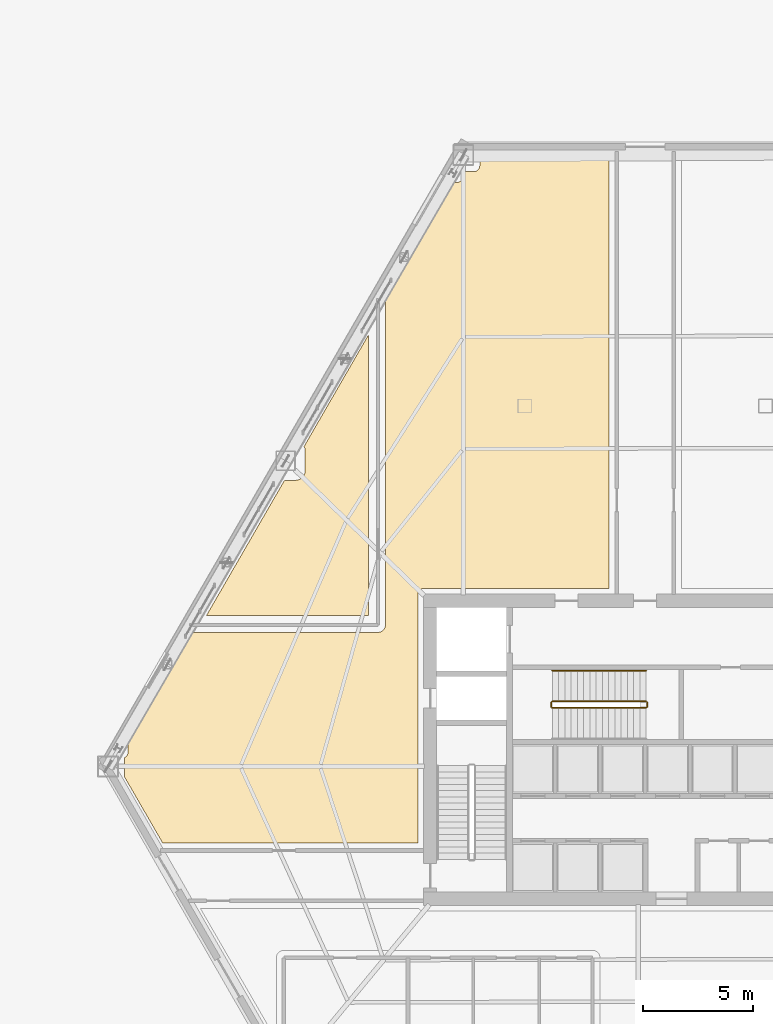
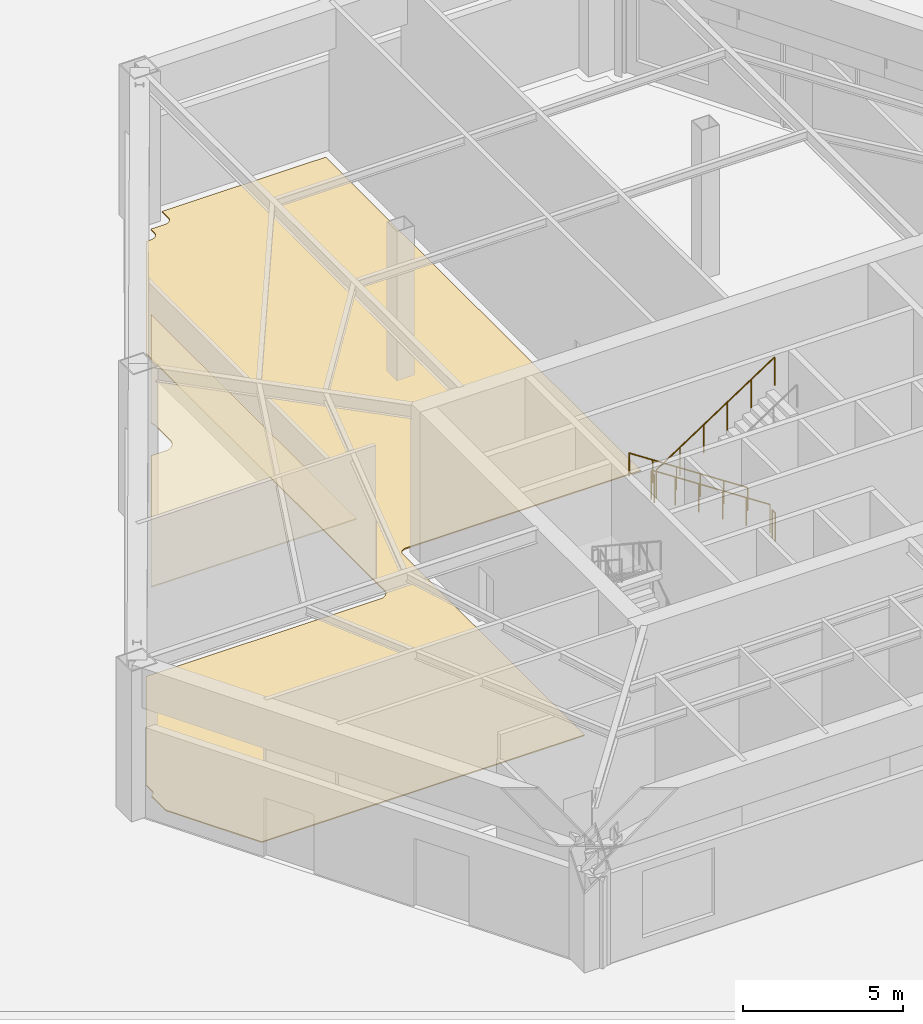
# One storey, part 18 of 20: 5 railings, 2 coverings.
"""IFC4 building model written with IfcOpenShell, lengths in metres."""

from ifc_helpers import new_model, si_unit, direction, frame, origin, origin_2d, place, context, subcontext, project, spatial, polyline, circle, outline, extrude, material, layer, layer_set, type_object, element, save


model = new_model("IFC4")

# Units and contexts
model_context = context("Model", 3, precision=1e-05, world=origin(), true_north=direction((0.0, 1.0)))
body_context = subcontext(model_context, "Body", "Model", "MODEL_VIEW")
ifc_project = project(units=[si_unit("LENGTHUNIT", "METRE"), si_unit("AREAUNIT", "SQUARE_METRE"), si_unit("VOLUMEUNIT", "CUBIC_METRE"), si_unit("PLANEANGLEUNIT", "RADIAN"), si_unit("MASSUNIT", "GRAM", prefix="KILO")], contexts=[model_context])

# Site, building, storey
site_placement = place(None, origin())
site = spatial("IfcSite", under=ifc_project, at=site_placement, CompositionType="ELEMENT")
building_placement = place(site_placement, origin())
building = spatial("IfcBuilding", under=site, at=building_placement, Name="Kavelnor Concourse Tower", CompositionType="ELEMENT")
storey_placement = place(building_placement, origin())
storey = spatial("IfcBuildingStorey", under=building, at=storey_placement, Name="L00", CompositionType="ELEMENT", Elevation=0.0)

# Coverings
ifc_material_1 = material(Name="Mineral fibre acoustic ceiling tile")
ifc_layer_1 = layer(ifc_material_1, 0.0400390625, Name="Mineral fibre acoustic ceiling tile")
ifc_layer_set_1 = layer_set([ifc_layer_1], Name="Mineral fibre acoustic ceiling tile")
covering_type_1 = type_object("IfcCoveringType", Name="COV-CEILING-ACOUSTIC", PredefinedType="CEILING", material=ifc_layer_set_1)
covering_1_placement = place(storey_placement, frame((0.0, 0.0, 2.75)))
element("IfcCovering", 1, at=covering_1_placement, inside=storey, type_object=covering_type_1, Name="L00 Suspended Acoustic Ceiling", PredefinedType="CEILING", context=body_context, shape_type="SweptSolid", body=[
    extrude(outline(polyline([(21.536376953125, 28.404052734375), (22.037109375, 28.404052734375), (22.0458984375, 28.404296875), (22.04931640625, 28.404296875), (22.057861328125, 28.404541015625), (22.059814453125, 28.40478515625), (22.076904296875, 28.406005859375), (22.083740234375, 28.406494140625), (22.100830078125, 28.40869140625), (22.102783203125, 28.408935546875), (22.11962890625, 28.412109375), (22.12646484375, 28.413330078125), (22.143310546875, 28.4169921875), (22.14501953125, 28.41748046875), (22.16162109375, 28.422119140625), (22.168212890625, 28.424072265625), (22.1845703125, 28.429443359375), (22.186279296875, 28.43017578125), (22.202392578125, 28.436279296875), (22.208740234375, 28.43896484375), (22.224365234375, 28.44580078125), (22.226318359375, 28.44677734375), (22.241455078125, 28.45458984375), (22.24755859375, 28.457763671875), (22.2626953125, 28.46630859375), (22.26416015625, 28.46728515625), (22.27880859375, 28.476318359375), (22.284423828125, 28.480224609375), (22.298583984375, 28.489990234375), (22.300048828125, 28.4912109375), (22.313720703125, 28.501953125), (22.31884765625, 28.506103515625), (22.331787109375, 28.517333984375), (22.33349609375, 28.518798828125), (22.345703125, 28.530517578125), (22.3505859375, 28.535400390625), (22.362548828125, 28.5478515625), (22.364013671875, 28.54931640625), (22.375, 28.5625), (22.37939453125, 28.567626953125), (22.389892578125, 28.581298828125), (22.39111328125, 28.582763671875), (22.401123046875, 28.5966796875), (22.40478515625, 28.6025390625), (22.4140625, 28.6171875), (22.4150390625, 28.61865234375), (22.423583984375, 28.6337890625), (22.4267578125, 28.639892578125), (22.4345703125, 28.655029296875), (22.435302734375, 28.656982421875), (22.4423828125, 28.672607421875), (22.44482421875, 28.678955078125), (22.451171875, 28.695068359375), (22.451904296875, 28.69677734375), (22.457275390625, 28.713134765625), (22.459228515625, 28.7197265625), (22.4638671875, 28.736083984375), (22.464111328125, 28.738037109375), (22.468017578125, 28.7548828125), (22.46923828125, 28.76171875), (22.472412109375, 28.778564453125), (22.47265625, 28.780517578125), (22.474609375, 28.797607421875), (22.475341796875, 28.804443359375), (22.4765625, 28.821533203125), (22.476806640625, 28.823486328125), (22.47705078125, 28.83203125), (22.47705078125, 28.83544921875), (22.477294921875, 28.843994140625), (22.477294921875, 29.744140625), (22.47705078125, 29.752685546875), (22.47705078125, 29.756103515625), (22.476806640625, 29.7646484375), (22.4765625, 29.7666015625), (22.475341796875, 29.78369140625), (22.474609375, 29.79052734375), (22.47265625, 29.8076171875), (22.472412109375, 29.8095703125), (22.46923828125, 29.82666015625), (22.468017578125, 29.833251953125), (22.464111328125, 29.85009765625), (22.4638671875, 29.85205078125), (22.459228515625, 29.868408203125), (22.457275390625, 29.875), (22.451904296875, 29.891357421875), (22.451171875, 29.893310546875), (22.44482421875, 29.9091796875), (22.4423828125, 29.91552734375), (22.435302734375, 29.931396484375), (22.4345703125, 29.93310546875), (22.42724609375, 29.947509765625), (25.3798828125, 35.0615234375), (25.3798828125, 22.219970703125), (17.9658203125, 22.219970703125), (21.536376953125, 28.404052734375)])), origin(), (0.0, 0.0, 1.0), 0.0400390625),
])
ifc_material_2 = material(Name="Honed bluestone and raised access floor finish", Category="masonry")
ifc_layer_2 = layer(ifc_material_2, 0.0400390625, Name="Honed bluestone and raised access floor finish")
ifc_layer_set_2 = layer_set([ifc_layer_2], Name="Honed bluestone and raised access floor finish")
covering_type_2 = type_object("IfcCoveringType", Name="COV-FLOOR-STONE", PredefinedType="FLOORING", material=ifc_layer_set_2)
covering_2_placement = place(storey_placement, frame((0.0, 0.0, 0.001953125)))
element("IfcCovering", 2, at=covering_2_placement, inside=storey, type_object=covering_type_2, Name="L00 Honed Bluestone Floor Finish", PredefinedType="FLOORING", context=body_context, shape_type="SweptSolid", body=[
    extrude(outline(polyline([(14.23486328125, 15.74658203125), (14.23583984375, 15.747314453125), (14.237548828125, 15.748046875), (14.246337890625, 15.75244140625), (14.251708984375, 15.755126953125), (14.260009765625, 15.760009765625), (14.26171875, 15.760986328125), (14.27001953125, 15.766357421875), (14.27490234375, 15.76953125), (14.282958984375, 15.775146484375), (14.28466796875, 15.7763671875), (14.292236328125, 15.782470703125), (14.296875, 15.7861328125), (14.30419921875, 15.79248046875), (14.3056640625, 15.7939453125), (14.31298828125, 15.80078125), (14.31689453125, 15.8046875), (14.32373046875, 15.81201171875), (14.3251953125, 15.8134765625), (14.33154296875, 15.82080078125), (14.335205078125, 15.825439453125), (14.34130859375, 15.8330078125), (14.342529296875, 15.834716796875), (14.34814453125, 15.8427734375), (14.351318359375, 15.84765625), (14.356689453125, 15.85595703125), (14.357666015625, 15.857666015625), (14.362548828125, 15.8662109375), (14.365234375, 15.871337890625), (14.36962890625, 15.880126953125), (14.37060546875, 15.8818359375), (14.37451171875, 15.890869140625), (14.376708984375, 15.896240234375), (14.38037109375, 15.905517578125), (14.380859375, 15.9072265625), (14.384033203125, 15.91650390625), (14.3857421875, 15.92236328125), (14.38818359375, 15.931640625), (14.388916015625, 15.93359375), (14.39111328125, 15.943115234375), (14.39208984375, 15.948974609375), (14.393798828125, 15.95849609375), (14.39404296875, 15.960693359375), (14.395263671875, 15.97021484375), (14.39599609375, 15.976318359375), (14.396484375, 15.986083984375), (14.396728515625, 15.98779296875), (14.39697265625, 15.992919921875), (14.39697265625, 15.995849609375), (14.39697265625, 16.000732421875), (14.39697265625, 16.32080078125), (14.39697265625, 16.32568359375), (14.39697265625, 16.32861328125), (14.396728515625, 16.33349609375), (14.396484375, 16.33544921875), (14.39599609375, 16.34521484375), (14.395263671875, 16.35107421875), (14.395263671875, 16.351806640625), (17.34228515625, 21.4599609375), (25.800048828125, 21.4599609375), (25.804931640625, 21.460205078125), (25.807861328125, 21.460205078125), (25.812744140625, 21.460205078125), (25.820556640625, 21.460693359375), (25.830322265625, 21.46142578125), (25.836181640625, 21.4619140625), (25.845947265625, 21.463134765625), (25.853759765625, 21.46435546875), (25.86328125, 21.466064453125), (25.869140625, 21.46728515625), (25.87890625, 21.46923828125), (25.886474609375, 21.47119140625), (25.89599609375, 21.473876953125), (25.901611328125, 21.4755859375), (25.910888671875, 21.478515625), (25.918212890625, 21.481201171875), (25.927490234375, 21.48486328125), (25.932861328125, 21.487060546875), (25.94189453125, 21.4912109375), (25.948974609375, 21.494384765625), (25.95751953125, 21.498779296875), (25.962890625, 21.501708984375), (25.971435546875, 21.50634765625), (25.97802734375, 21.510498046875), (25.986328125, 21.515625), (25.9912109375, 21.51904296875), (25.999267578125, 21.524658203125), (26.005615234375, 21.529296875), (26.013427734375, 21.535400390625), (26.017822265625, 21.5390625), (26.025390625, 21.54541015625), (26.03125, 21.55078125), (26.038330078125, 21.5576171875), (26.04248046875, 21.561767578125), (26.04931640625, 21.56884765625), (26.054443359375, 21.57470703125), (26.060791015625, 21.58203125), (26.064697265625, 21.586669921875), (26.07080078125, 21.594482421875), (26.075439453125, 21.6005859375), (26.0810546875, 21.608642578125), (26.084228515625, 21.613525390625), (26.089599609375, 21.621826171875), (26.093505859375, 21.628662109375), (26.098388671875, 21.63720703125), (26.101318359375, 21.642333984375), (26.105712890625, 21.651123046875), (26.10888671875, 21.658203125), (26.11279296875, 21.667236328125), (26.115234375, 21.672607421875), (26.11865234375, 21.681884765625), (26.121337890625, 21.689208984375), (26.12451171875, 21.698486328125), (26.126220703125, 21.7041015625), (26.12890625, 21.713623046875), (26.130615234375, 21.72119140625), (26.1328125, 21.730712890625), (26.134033203125, 21.736572265625), (26.135498046875, 21.74609375), (26.13671875, 21.75390625), (26.137939453125, 21.763916015625), (26.138671875, 21.76953125), (26.139404296875, 21.779296875), (26.1396484375, 21.787109375), (26.139892578125, 21.7919921875), (26.139892578125, 21.795166015625), (26.139892578125, 21.800048828125), (26.139892578125, 36.62890625), (26.139892578125, 36.6337890625), (26.139892578125, 36.63671875), (26.1396484375, 36.6416015625), (26.139404296875, 36.6494140625), (26.138671875, 36.658935546875), (26.13818359375, 36.664794921875), (26.136962890625, 36.67431640625), (26.1357421875, 36.68212890625), (26.134765625, 36.688232421875), (29.194091796875, 41.987548828125), (29.37744140625, 41.987548828125), (29.38232421875, 41.987548828125), (29.38525390625, 41.987548828125), (29.39013671875, 41.98779296875), (29.39208984375, 41.98779296875), (29.40185546875, 41.988525390625), (29.40771484375, 41.9892578125), (29.41748046875, 41.990478515625), (29.41943359375, 41.99072265625), (29.42919921875, 41.992431640625), (29.434814453125, 41.993408203125), (29.444580078125, 41.99560546875), (29.4462890625, 41.99609375), (29.455810546875, 41.998779296875), (29.46142578125, 42.00048828125), (29.470703125, 42.003662109375), (29.47265625, 42.004150390625), (29.481689453125, 42.0078125), (29.4873046875, 42.010009765625), (29.49609375, 42.013916015625), (29.498046875, 42.014892578125), (29.5068359375, 42.019287109375), (29.511962890625, 42.02197265625), (29.5205078125, 42.02685546875), (29.522216796875, 42.02783203125), (29.530517578125, 42.033203125), (29.535400390625, 42.036376953125), (29.54345703125, 42.0419921875), (29.544921875, 42.043212890625), (29.552734375, 42.04931640625), (29.557373046875, 42.052978515625), (29.564697265625, 42.059326171875), (29.566162109375, 42.060791015625), (29.5732421875, 42.0673828125), (29.577392578125, 42.071533203125), (29.584228515625, 42.078857421875), (29.58544921875, 42.080078125), (29.591796875, 42.087646484375), (29.595703125, 42.09228515625), (29.601806640625, 42.099853515625), (29.602783203125, 42.1015625), (29.6083984375, 42.109619140625), (29.61181640625, 42.114501953125), (29.616943359375, 42.122802734375), (29.617919921875, 42.12451171875), (29.622802734375, 42.1328125), (29.625732421875, 42.13818359375), (29.630126953125, 42.14697265625), (29.630859375, 42.148681640625), (29.635009765625, 42.15771484375), (29.63720703125, 42.1630859375), (29.640625, 42.17236328125), (29.641357421875, 42.174072265625), (29.644287109375, 42.183349609375), (29.64599609375, 42.189208984375), (29.648681640625, 42.198486328125), (29.649169921875, 42.200439453125), (29.6513671875, 42.2099609375), (29.652587890625, 42.2158203125), (29.654296875, 42.225341796875), (29.654541015625, 42.227294921875), (29.65576171875, 42.237060546875), (29.65625, 42.242919921875), (29.656982421875, 42.252685546875), (29.656982421875, 42.254638671875), (29.6572265625, 42.259521484375), (29.6572265625, 42.2626953125), (29.657470703125, 42.267578125), (29.657470703125, 42.493896484375), (30.169677734375, 42.493896484375), (30.174560546875, 42.493896484375), (30.177490234375, 42.493896484375), (30.182373046875, 42.494140625), (30.184326171875, 42.494384765625), (30.194091796875, 42.4951171875), (30.199951171875, 42.49560546875), (30.209716796875, 42.496826171875), (30.211669921875, 42.4970703125), (30.22119140625, 42.498779296875), (30.22705078125, 42.5), (30.23681640625, 42.502197265625), (30.238525390625, 42.502685546875), (30.248046875, 42.505126953125), (30.253662109375, 42.5068359375), (30.262939453125, 42.510009765625), (30.264892578125, 42.510498046875), (30.27392578125, 42.51416015625), (30.279296875, 42.516357421875), (30.288330078125, 42.5205078125), (30.290283203125, 42.521240234375), (30.299072265625, 42.525634765625), (30.30419921875, 42.5283203125), (30.312744140625, 42.533203125), (30.314453125, 42.5341796875), (30.32275390625, 42.53955078125), (30.32763671875, 42.542724609375), (30.335693359375, 42.54833984375), (30.337158203125, 42.549560546875), (30.344970703125, 42.5556640625), (30.349609375, 42.559326171875), (30.35693359375, 42.56591796875), (30.3583984375, 42.567138671875), (30.365478515625, 42.573974609375), (30.36962890625, 42.577880859375), (30.37646484375, 42.585205078125), (30.377685546875, 42.586669921875), (30.384033203125, 42.593994140625), (30.387939453125, 42.5986328125), (30.393798828125, 42.606201171875), (30.39501953125, 42.60791015625), (30.400634765625, 42.615966796875), (30.404052734375, 42.620849609375), (30.4091796875, 42.629150390625), (30.41015625, 42.630859375), (30.4150390625, 42.639404296875), (30.41796875, 42.64453125), (30.42236328125, 42.6533203125), (30.423095703125, 42.655029296875), (30.427001953125, 42.6640625), (30.42919921875, 42.66943359375), (30.432861328125, 42.6787109375), (30.43359375, 42.680419921875), (30.4365234375, 42.689697265625), (30.438232421875, 42.695556640625), (30.44091796875, 42.704833984375), (30.44140625, 42.706787109375), (30.443603515625, 42.71630859375), (30.444580078125, 42.72216796875), (30.4462890625, 42.731689453125), (30.44677734375, 42.73388671875), (30.447998046875, 42.743408203125), (30.448486328125, 42.74951171875), (30.44921875, 42.75927734375), (30.44921875, 42.760986328125), (30.449462890625, 42.76611328125), (30.449462890625, 42.76904296875), (30.44970703125, 42.77392578125), (30.44970703125, 43.155517578125), (36.35009765625, 43.155517578125), (36.35009765625, 23.4599609375), (27.8798828125, 23.4599609375), (27.8701171875, 23.459716796875), (27.8642578125, 23.45947265625), (27.8447265625, 23.45751953125), (27.8388671875, 23.456787109375), (27.819580078125, 23.452880859375), (27.81396484375, 23.451416015625), (27.795166015625, 23.44580078125), (27.789794921875, 23.443603515625), (27.771484375, 23.436279296875), (27.76611328125, 23.43359375), (27.748779296875, 23.424560546875), (27.743896484375, 23.42138671875), (27.7275390625, 23.410400390625), (27.722900390625, 23.406982421875), (27.70751953125, 23.39453125), (27.703369140625, 23.390625), (27.689453125, 23.376708984375), (27.685302734375, 23.372314453125), (27.673095703125, 23.357177734375), (27.66943359375, 23.3525390625), (27.65869140625, 23.336181640625), (27.655517578125, 23.3310546875), (27.646240234375, 23.313720703125), (27.643798828125, 23.30859375), (27.63623046875, 23.290283203125), (27.63427734375, 23.284912109375), (27.628662109375, 23.26611328125), (27.627197265625, 23.26025390625), (27.623291015625, 23.2412109375), (27.62255859375, 23.235107421875), (27.62060546875, 23.2158203125), (27.6201171875, 23.209716796875), (27.6201171875, 23.199951171875), (27.6201171875, 11.85009765625), (15.9677734375, 11.85009765625), (14.234619140625, 14.85205078125), (14.234619140625, 14.8564453125), (14.234619140625, 14.859375), (14.23486328125, 14.8642578125), (14.23486328125, 15.74658203125)])), origin(), (0.0, 0.0, 1.0), 0.0400390625),
])

# Railings
ifc_material_3 = material(Name="Steel Grade 350", Category="steel")
railing_type_1 = type_object("IfcRailingType", Name="RLG-GUARD-1100", PredefinedType="GUARDRAIL", material=ifc_material_3)
railing_1_placement = place(storey_placement, frame((38.0400390625, 18.31005859375, 0.1875)))
element("IfcRailing", 3, at=railing_1_placement, inside=storey, type_object=railing_type_1, Name="L00 ST3 stair guard 1", PredefinedType="GUARDRAIL", context=body_context, shape_type="SweptSolid", body=[
    extrude(circle(Radius=0.02392578125, at=origin_2d()), frame((0.0, 0.0, 1.076171875), z_axis=(-0.835425729185, 0.0, 0.549603357901), x_axis=(0.0, -1.0, 0.0)), (0.0, 0.0, 1.0), 5.117431640625),
    extrude(circle(Radius=0.02099609375, at=origin_2d()), origin(), (0.0, 0.0, 1.0), 1.052001953125),
    extrude(circle(Radius=0.02099609375, at=origin_2d()), frame((-0.85498046875, 0.0, 0.5625)), (0.0, 0.0, 1.0), 1.052001953125),
    extrude(circle(Radius=0.02099609375, at=origin_2d()), frame((-1.7099609375, 0.0, 1.125)), (0.0, 0.0, 1.0), 1.052001953125),
    extrude(circle(Radius=0.02099609375, at=origin_2d()), frame((-2.565185546875, 0.0, 1.6875)), (0.0, 0.0, 1.0), 1.052001953125),
    extrude(circle(Radius=0.02099609375, at=origin_2d()), frame((-3.420166015625, 0.0, 2.25)), (0.0, 0.0, 1.0), 1.052001953125),
    extrude(circle(Radius=0.02099609375, at=origin_2d()), frame((-4.275146484375, 0.0, 2.8125)), (0.0, 0.0, 1.0), 1.052001953125),
])
railing_2_placement = place(storey_placement, frame((33.715087890625, 18.260009765625, 3.0)))
element("IfcRailing", 4, at=railing_2_placement, inside=storey, type_object=railing_type_1, Name="L00 ST3 stair guard 2", PredefinedType="GUARDRAIL", context=body_context, shape_type="SweptSolid", body=[
    extrude(circle(Radius=0.02392578125, at=origin_2d()), frame((0.0, 0.0, 1.076171875), z_axis=(0.0, -1.0, 0.0), x_axis=(1.0, 0.0, 0.0)), (0.0, 0.0, 1.0), 0.199951171875),
    extrude(circle(Radius=0.02099609375, at=origin_2d()), origin(), (0.0, 0.0, 1.0), 1.052001953125),
    extrude(circle(Radius=0.02099609375, at=origin_2d()), frame((0.0, -0.199951171875, 0.0)), (0.0, 0.0, 1.0), 1.052001953125),
])
railing_3_placement = place(storey_placement, frame((33.764892578125, 18.010009765625, 3.1875)))
element("IfcRailing", 5, at=railing_3_placement, inside=storey, type_object=railing_type_1, Name="L00 ST3 stair guard 3", PredefinedType="GUARDRAIL", context=body_context, shape_type="SweptSolid", body=[
    extrude(circle(Radius=0.02392578125, at=origin_2d()), frame((0.0, 0.0, 1.076171875), z_axis=(0.835425729185, 0.0, 0.549603357901), x_axis=(0.0, 1.0, 0.0)), (0.0, 0.0, 1.0), 5.117431640625),
    extrude(circle(Radius=0.02099609375, at=origin_2d()), origin(), (0.0, 0.0, 1.0), 1.052001953125),
    extrude(circle(Radius=0.02099609375, at=origin_2d()), frame((0.85498046875, 0.0, 0.5625)), (0.0, 0.0, 1.0), 1.052001953125),
    extrude(circle(Radius=0.02099609375, at=origin_2d()), frame((1.7099609375, 0.0, 1.125)), (0.0, 0.0, 1.0), 1.052001953125),
    extrude(circle(Radius=0.02099609375, at=origin_2d()), frame((2.565185546875, 0.0, 1.6875)), (0.0, 0.0, 1.0), 1.052001953125),
    extrude(circle(Radius=0.02099609375, at=origin_2d()), frame((3.420166015625, 0.0, 2.25)), (0.0, 0.0, 1.0), 1.052001953125),
    extrude(circle(Radius=0.02099609375, at=origin_2d()), frame((4.275146484375, 0.0, 2.8125)), (0.0, 0.0, 1.0), 1.052001953125),
])
railing_4_placement = place(storey_placement, frame((38.090087890625, 18.260009765625, 0.0)))
element("IfcRailing", 6, at=railing_4_placement, inside=storey, type_object=railing_type_1, Name="L00 ST3 stair guard 4", PredefinedType="GUARDRAIL", context=body_context, shape_type="SweptSolid", body=[
    extrude(circle(Radius=0.02392578125, at=origin_2d()), frame((0.0, 0.0, 1.076171875), z_axis=(0.0, -1.0, 0.0), x_axis=(1.0, 0.0, 0.0)), (0.0, 0.0, 1.0), 0.199951171875),
    extrude(circle(Radius=0.02099609375, at=origin_2d()), origin(), (0.0, 0.0, 1.0), 1.052001953125),
    extrude(circle(Radius=0.02099609375, at=origin_2d()), frame((0.0, -0.199951171875, 0.0)), (0.0, 0.0, 1.0), 1.052001953125),
])
railing_type_2 = type_object("IfcRailingType", Name="RLG-HANDRAIL-900", PredefinedType="HANDRAIL", material=ifc_material_3)
railing_5_placement = place(storey_placement, frame((38.0400390625, 19.7099609375, 0.1875)))
element("IfcRailing", 7, at=railing_5_placement, inside=storey, type_object=railing_type_2, Name="L00 ST3 stair handrail 1", PredefinedType="HANDRAIL", context=body_context, shape_type="SweptSolid", body=[
    extrude(circle(Radius=0.02392578125, at=origin_2d()), frame((0.0, 0.0, 0.8759765625), z_axis=(-0.835425729185, 0.0, 0.549603357901), x_axis=(0.0, -1.0, 0.0)), (0.0, 0.0, 1.0), 5.117431640625),
    extrude(circle(Radius=0.02099609375, at=origin_2d()), origin(), (0.0, 0.0, 1.0), 0.851806640625),
    extrude(circle(Radius=0.02099609375, at=origin_2d()), frame((-0.85498046875, 0.0, 0.5625)), (0.0, 0.0, 1.0), 0.851806640625),
    extrude(circle(Radius=0.02099609375, at=origin_2d()), frame((-1.7099609375, 0.0, 1.125)), (0.0, 0.0, 1.0), 0.851806640625),
    extrude(circle(Radius=0.02099609375, at=origin_2d()), frame((-2.565185546875, 0.0, 1.6875)), (0.0, 0.0, 1.0), 0.851806640625),
    extrude(circle(Radius=0.02099609375, at=origin_2d()), frame((-3.420166015625, 0.0, 2.25)), (0.0, 0.0, 1.0), 0.851806640625),
    extrude(circle(Radius=0.02099609375, at=origin_2d()), frame((-4.275146484375, 0.0, 2.8125)), (0.0, 0.0, 1.0), 0.851806640625),
])

save(model, "model.ifc")
